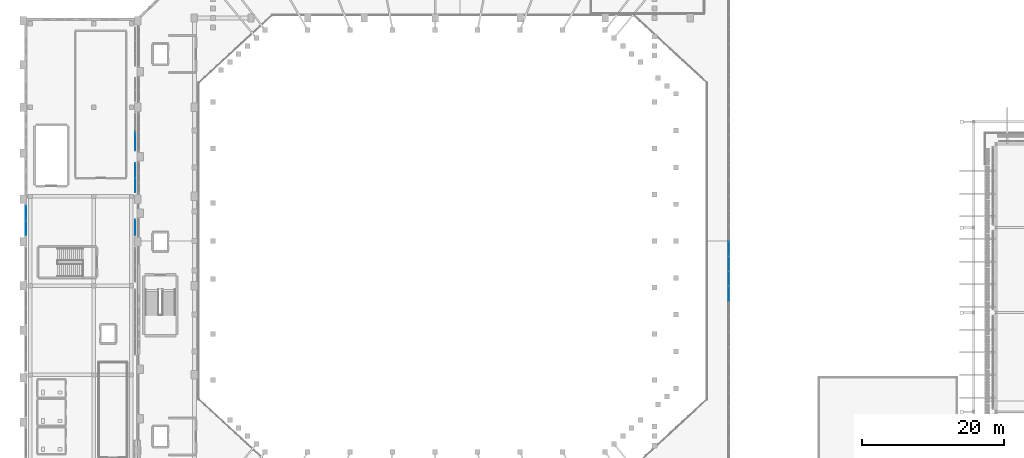
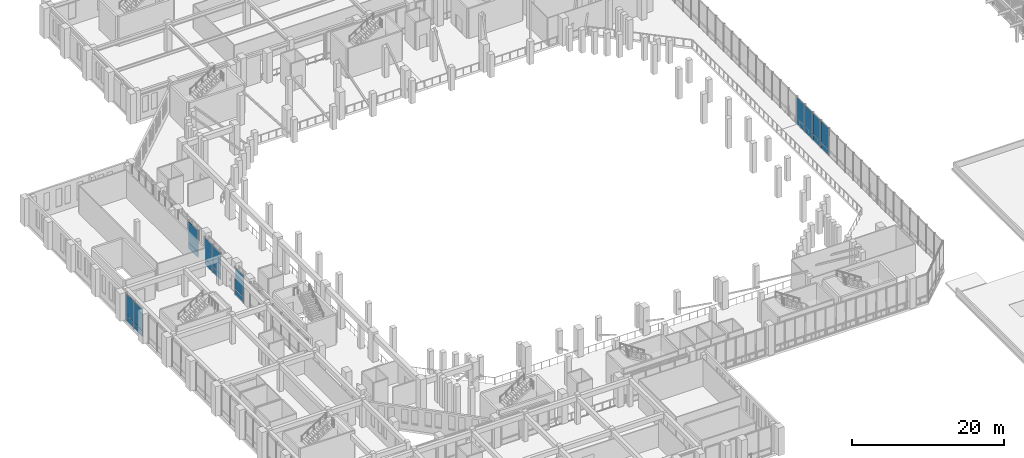
# One storey, part 70 of 126: 20 plates, 5 elements without a shape of their own.
"""IFC4 building model written with IfcOpenShell, lengths in metres."""

from ifc_helpers import new_model, si_unit, derived_unit, direction, frame, origin, origin_2d, place, context, subcontext, project, spatial, rectangle, extrude, material, layer, layer_set, type_object, element, aggregate, save


model = new_model("IFC4")

# Units and contexts
model_context = context("Model", 3, precision=1e-05, world=origin(), true_north=direction((0.0, 1.0)))
body_context = subcontext(model_context, "Body", "Model", "MODEL_VIEW")
ifc_project = project(units=[si_unit("LENGTHUNIT", "METRE"), si_unit("AREAUNIT", "SQUARE_METRE"), si_unit("VOLUMEUNIT", "CUBIC_METRE"), si_unit("PLANEANGLEUNIT", "RADIAN"), si_unit("MASSUNIT", "GRAM", prefix="KILO"), derived_unit("THERMALTRANSMITTANCEUNIT", [(si_unit("MASSUNIT", "GRAM", prefix="KILO"), 1), (si_unit("TIMEUNIT", "SECOND"), -3), (si_unit("THERMODYNAMICTEMPERATUREUNIT", "KELVIN"), -1)])], contexts=[model_context])

# Site, building, storey
site_placement = place(None, origin())
site = spatial("IfcSite", under=ifc_project, at=site_placement, CompositionType="ELEMENT")
building_placement = place(site_placement, origin())
building = spatial("IfcBuilding", under=site, at=building_placement, Name="Valcora Ridge Arena", CompositionType="ELEMENT")
storey_placement = place(building_placement, frame((0.0, 0.0, 11.39990234375)))
storey = spatial("IfcBuildingStorey", under=building, at=storey_placement, Name="L02", CompositionType="ELEMENT", Elevation=11.39990234375)

# Curtain wall, plates
ifc_material_1 = material(Name="Anodised dark bronze architectural aluminium 6063-T6", Category="aluminium")
ifc_layer_1 = layer(ifc_material_1, 0.14990234375, Name="Anodised dark bronze architectural aluminium 6063-T6")
ifc_layer_set_1 = layer_set([ifc_layer_1], Name="Anodised dark bronze architectural aluminium 6063-T6")
curtain_wall_type_1 = type_object("IfcCurtainWallType", Name="TY-CURTAINWALL-CW-V4-CLUB-042X44", PredefinedType="NOTDEFINED", material=ifc_layer_set_1)
curtain_wall_1_placement = place(storey_placement, origin())
curtain_wall_1 = element("IfcCurtainWall", 1, at=curtain_wall_1_placement, inside=storey, type_object=curtain_wall_type_1, Name="CW-V4-CLUB-042X44 CW-0266", PredefinedType="NOTDEFINED")
ifc_material_2 = material(Name="Low-iron solar-control double glazing SHGC 0.28", Category="glass")
ifc_layer_2 = layer(ifc_material_2, 0.028076171875, Name="Low-iron solar-control double glazing SHGC 0.28")
ifc_layer_set_2 = layer_set([ifc_layer_2], Name="Low-iron solar-control double glazing SHGC 0.28")
plate_type_1 = type_object("IfcPlateType", Name="TY-PLT-CWP-2035X0875", PredefinedType="CURTAIN_PANEL", material=ifc_layer_set_2)
plate_1_placement = place(storey_placement, frame((15.64990234375, 72.007568359375, 0.050048828125), z_axis=(0.0, 0.0, 1.0), x_axis=(0.0, 1.0, 0.0)))
plate_1 = element("IfcPlate", 2, at=plate_1_placement, type_object=plate_type_1, Name="CW-0266/P00-00", PredefinedType="CURTAIN_PANEL", context=body_context, shape_type="SweptSolid", body=[
    extrude(rectangle(XDim=2.034912109375, YDim=0.028076171875, at=origin_2d()), origin(), (0.0, 0.0, 1.0), 0.875),
])
plate_2_placement = place(storey_placement, frame((15.64990234375, 74.092529296875, 0.050048828125), z_axis=(0.0, 0.0, 1.0), x_axis=(0.0, 1.0, 0.0)))
plate_2 = element("IfcPlate", 3, at=plate_2_placement, type_object=plate_type_1, Name="CW-0266/P01-00", PredefinedType="CURTAIN_PANEL", context=body_context, shape_type="SweptSolid", body=[
    extrude(rectangle(XDim=2.034912109375, YDim=0.028076171875, at=origin_2d()), origin(), (0.0, 0.0, 1.0), 0.875),
])
ifc_layer_3 = layer(ifc_material_2, 0.028076171875, Name="Low-iron solar-control double glazing SHGC 0.28")
ifc_layer_set_3 = layer_set([ifc_layer_3], Name="Low-iron solar-control double glazing SHGC 0.28")
plate_type_2 = type_object("IfcPlateType", Name="TY-PLT-CWP-2035X3425", PredefinedType="CURTAIN_PANEL", material=ifc_layer_set_3)
plate_3_placement = place(storey_placement, frame((15.64990234375, 72.007568359375, 0.97509765625), z_axis=(0.0, 0.0, 1.0), x_axis=(0.0, 1.0, 0.0)))
plate_3 = element("IfcPlate", 4, at=plate_3_placement, type_object=plate_type_2, Name="CW-0266/P00-01", PredefinedType="CURTAIN_PANEL", context=body_context, shape_type="SweptSolid", body=[
    extrude(rectangle(XDim=2.034912109375, YDim=0.028076171875, at=origin_2d()), origin(), (0.0, 0.0, 1.0), 3.425048828125),
])
plate_4_placement = place(storey_placement, frame((15.64990234375, 74.092529296875, 0.97509765625), z_axis=(0.0, 0.0, 1.0), x_axis=(0.0, 1.0, 0.0)))
plate_4 = element("IfcPlate", 5, at=plate_4_placement, type_object=plate_type_2, Name="CW-0266/P01-01", PredefinedType="CURTAIN_PANEL", context=body_context, shape_type="SweptSolid", body=[
    extrude(rectangle(XDim=2.034912109375, YDim=0.028076171875, at=origin_2d()), origin(), (0.0, 0.0, 1.0), 3.425048828125),
])
aggregate(curtain_wall_1, [plate_1, plate_3, plate_2, plate_4])

ifc_layer_4 = layer(ifc_material_1, 0.14990234375, Name="Anodised dark bronze architectural aluminium 6063-T6")
ifc_layer_set_4 = layer_set([ifc_layer_4], Name="Anodised dark bronze architectural aluminium 6063-T6")
curtain_wall_type_2 = type_object("IfcCurtainWallType", Name="TY-CURTAINWALL-CW-V4-CLUB-043X44", PredefinedType="NOTDEFINED", material=ifc_layer_set_4)
curtain_wall_2_placement = place(storey_placement, origin())
curtain_wall_2 = element("IfcCurtainWall", 6, at=curtain_wall_2_placement, inside=storey, type_object=curtain_wall_type_2, Name="CW-V4-CLUB-043X44 CW-0262", PredefinedType="NOTDEFINED")
ifc_layer_5 = layer(ifc_material_2, 0.028076171875, Name="Low-iron solar-control double glazing SHGC 0.28")
ifc_layer_set_5 = layer_set([ifc_layer_5], Name="Low-iron solar-control double glazing SHGC 0.28")
plate_type_3 = type_object("IfcPlateType", Name="TY-PLT-CWP-2085X0875", PredefinedType="CURTAIN_PANEL", material=ifc_layer_set_5)
plate_5_placement = place(storey_placement, frame((0.219970703125, 65.9326171875, 0.050048828125), z_axis=(0.0, 0.0, 1.0), x_axis=(0.0, 1.0, 0.0)))
plate_5 = element("IfcPlate", 7, at=plate_5_placement, type_object=plate_type_3, Name="CW-0262/P00-00", PredefinedType="CURTAIN_PANEL", context=body_context, shape_type="SweptSolid", body=[
    extrude(rectangle(XDim=2.0849609375, YDim=0.028076171875, at=origin_2d()), origin(), (0.0, 0.0, 1.0), 0.875),
])
plate_6_placement = place(storey_placement, frame((0.219970703125, 68.0673828125, 0.050048828125), z_axis=(0.0, 0.0, 1.0), x_axis=(0.0, 1.0, 0.0)))
plate_6 = element("IfcPlate", 8, at=plate_6_placement, type_object=plate_type_3, Name="CW-0262/P01-00", PredefinedType="CURTAIN_PANEL", context=body_context, shape_type="SweptSolid", body=[
    extrude(rectangle(XDim=2.0849609375, YDim=0.028076171875, at=origin_2d()), origin(), (0.0, 0.0, 1.0), 0.875),
])
ifc_layer_6 = layer(ifc_material_2, 0.028076171875, Name="Low-iron solar-control double glazing SHGC 0.28")
ifc_layer_set_6 = layer_set([ifc_layer_6], Name="Low-iron solar-control double glazing SHGC 0.28")
plate_type_4 = type_object("IfcPlateType", Name="TY-PLT-CWP-2085X3425", PredefinedType="CURTAIN_PANEL", material=ifc_layer_set_6)
plate_7_placement = place(storey_placement, frame((0.219970703125, 65.9326171875, 0.97509765625), z_axis=(0.0, 0.0, 1.0), x_axis=(0.0, 1.0, 0.0)))
plate_7 = element("IfcPlate", 9, at=plate_7_placement, type_object=plate_type_4, Name="CW-0262/P00-01", PredefinedType="CURTAIN_PANEL", context=body_context, shape_type="SweptSolid", body=[
    extrude(rectangle(XDim=2.0849609375, YDim=0.028076171875, at=origin_2d()), origin(), (0.0, 0.0, 1.0), 3.425048828125),
])
plate_8_placement = place(storey_placement, frame((0.219970703125, 68.0673828125, 0.97509765625), z_axis=(0.0, 0.0, 1.0), x_axis=(0.0, 1.0, 0.0)))
plate_8 = element("IfcPlate", 10, at=plate_8_placement, type_object=plate_type_4, Name="CW-0262/P01-01", PredefinedType="CURTAIN_PANEL", context=body_context, shape_type="SweptSolid", body=[
    extrude(rectangle(XDim=2.0849609375, YDim=0.028076171875, at=origin_2d()), origin(), (0.0, 0.0, 1.0), 3.425048828125),
])
aggregate(curtain_wall_2, [plate_5, plate_7, plate_6, plate_8])

ifc_layer_7 = layer(ifc_material_1, 0.14990234375, Name="Anodised dark bronze architectural aluminium 6063-T6")
ifc_layer_set_7 = layer_set([ifc_layer_7], Name="Anodised dark bronze architectural aluminium 6063-T6")
curtain_wall_type_3 = type_object("IfcCurtainWallType", Name="TY-CURTAINWALL-CW-V1-EAST-769X44", PredefinedType="NOTDEFINED", material=ifc_layer_set_7)
curtain_wall_3_placement = place(storey_placement, origin())
curtain_wall_3 = element("IfcCurtainWall", 11, at=curtain_wall_3_placement, inside=storey, type_object=curtain_wall_type_3, Name="CW-V1-EAST-769X44 CW-0129", PredefinedType="NOTDEFINED")
ifc_layer_8 = layer(ifc_material_2, 0.028076171875, Name="Low-iron solar-control double glazing SHGC 0.28")
ifc_layer_set_8 = layer_set([ifc_layer_8], Name="Low-iron solar-control double glazing SHGC 0.28")
plate_type_5 = type_object("IfcPlateType", Name="TY-PLT-CWP-2087X0875", PredefinedType="CURTAIN_PANEL", material=ifc_layer_set_8)
plate_9_placement = place(storey_placement, frame((99.449951171875, 56.619140625, 0.050048828125), z_axis=(0.0, 0.0, 1.0), x_axis=(0.0, 1.0, 0.0)))
plate_9 = element("IfcPlate", 12, at=plate_9_placement, type_object=plate_type_5, Name="CW-0129/P14-00", PredefinedType="CURTAIN_PANEL", context=body_context, shape_type="SweptSolid", body=[
    extrude(rectangle(XDim=2.0869140625, YDim=0.028076171875, at=origin_2d()), origin(), (0.0, 0.0, 1.0), 0.875),
])
plate_10_placement = place(storey_placement, frame((99.449951171875, 60.894287109375, 0.050048828125), z_axis=(0.0, 0.0, 1.0), x_axis=(0.0, 1.0, 0.0)))
plate_10 = element("IfcPlate", 13, at=plate_10_placement, type_object=plate_type_5, Name="CW-0129/P16-00", PredefinedType="CURTAIN_PANEL", context=body_context, shape_type="SweptSolid", body=[
    extrude(rectangle(XDim=2.0869140625, YDim=0.028076171875, at=origin_2d()), origin(), (0.0, 0.0, 1.0), 0.875),
])
plate_11_placement = place(storey_placement, frame((99.449951171875, 63.03125, 0.050048828125), z_axis=(0.0, 0.0, 1.0), x_axis=(0.0, 1.0, 0.0)))
plate_11 = element("IfcPlate", 14, at=plate_11_placement, type_object=plate_type_5, Name="CW-0129/P17-00", PredefinedType="CURTAIN_PANEL", context=body_context, shape_type="SweptSolid", body=[
    extrude(rectangle(XDim=2.0869140625, YDim=0.028076171875, at=origin_2d()), origin(), (0.0, 0.0, 1.0), 0.875),
])
ifc_layer_9 = layer(ifc_material_2, 0.028076171875, Name="Low-iron solar-control double glazing SHGC 0.28")
ifc_layer_set_9 = layer_set([ifc_layer_9], Name="Low-iron solar-control double glazing SHGC 0.28")
plate_type_6 = type_object("IfcPlateType", Name="TY-PLT-CWP-2087X3425", PredefinedType="CURTAIN_PANEL", material=ifc_layer_set_9)
plate_12_placement = place(storey_placement, frame((99.449951171875, 56.619140625, 0.97509765625), z_axis=(0.0, 0.0, 1.0), x_axis=(0.0, 1.0, 0.0)))
plate_12 = element("IfcPlate", 15, at=plate_12_placement, type_object=plate_type_6, Name="CW-0129/P14-01", PredefinedType="CURTAIN_PANEL", context=body_context, shape_type="SweptSolid", body=[
    extrude(rectangle(XDim=2.0869140625, YDim=0.028076171875, at=origin_2d()), origin(), (0.0, 0.0, 1.0), 3.425048828125),
])
plate_13_placement = place(storey_placement, frame((99.449951171875, 60.894287109375, 0.97509765625), z_axis=(0.0, 0.0, 1.0), x_axis=(0.0, 1.0, 0.0)))
plate_13 = element("IfcPlate", 16, at=plate_13_placement, type_object=plate_type_6, Name="CW-0129/P16-01", PredefinedType="CURTAIN_PANEL", context=body_context, shape_type="SweptSolid", body=[
    extrude(rectangle(XDim=2.0869140625, YDim=0.028076171875, at=origin_2d()), origin(), (0.0, 0.0, 1.0), 3.425048828125),
])
plate_14_placement = place(storey_placement, frame((99.449951171875, 63.03125, 0.97509765625), z_axis=(0.0, 0.0, 1.0), x_axis=(0.0, 1.0, 0.0)))
plate_14 = element("IfcPlate", 17, at=plate_14_placement, type_object=plate_type_6, Name="CW-0129/P17-01", PredefinedType="CURTAIN_PANEL", context=body_context, shape_type="SweptSolid", body=[
    extrude(rectangle(XDim=2.0869140625, YDim=0.028076171875, at=origin_2d()), origin(), (0.0, 0.0, 1.0), 3.425048828125),
])
ifc_layer_10 = layer(ifc_material_2, 0.028076171875, Name="Low-iron solar-control double glazing SHGC 0.28")
ifc_layer_set_10 = layer_set([ifc_layer_10], Name="Low-iron solar-control double glazing SHGC 0.28")
plate_type_7 = type_object("IfcPlateType", Name="TY-PLT-CWP-2088X0875", PredefinedType="CURTAIN_PANEL", material=ifc_layer_set_10)
plate_15_placement = place(storey_placement, frame((99.449951171875, 58.756591796875, 0.050048828125), z_axis=(0.0, 0.0, 1.0), x_axis=(0.0, 1.0, 0.0)))
plate_15 = element("IfcPlate", 18, at=plate_15_placement, type_object=plate_type_7, Name="CW-0129/P15-00", PredefinedType="CURTAIN_PANEL", context=body_context, shape_type="SweptSolid", body=[
    extrude(rectangle(XDim=2.087890625, YDim=0.028076171875, at=origin_2d()), origin(), (0.0, 0.0, 1.0), 0.875),
])
ifc_layer_11 = layer(ifc_material_2, 0.028076171875, Name="Low-iron solar-control double glazing SHGC 0.28")
ifc_layer_set_11 = layer_set([ifc_layer_11], Name="Low-iron solar-control double glazing SHGC 0.28")
plate_type_8 = type_object("IfcPlateType", Name="TY-PLT-CWP-2088X3425", PredefinedType="CURTAIN_PANEL", material=ifc_layer_set_11)
plate_16_placement = place(storey_placement, frame((99.449951171875, 58.756591796875, 0.97509765625), z_axis=(0.0, 0.0, 1.0), x_axis=(0.0, 1.0, 0.0)))
plate_16 = element("IfcPlate", 19, at=plate_16_placement, type_object=plate_type_8, Name="CW-0129/P15-01", PredefinedType="CURTAIN_PANEL", context=body_context, shape_type="SweptSolid", body=[
    extrude(rectangle(XDim=2.087890625, YDim=0.028076171875, at=origin_2d()), origin(), (0.0, 0.0, 1.0), 3.425048828125),
])
aggregate(curtain_wall_3, [plate_9, plate_12, plate_15, plate_16, plate_10, plate_13, plate_11, plate_14])

ifc_layer_12 = layer(ifc_material_1, 0.14990234375, Name="Anodised dark bronze architectural aluminium 6063-T6")
ifc_layer_set_12 = layer_set([ifc_layer_12], Name="Anodised dark bronze architectural aluminium 6063-T6")
curtain_wall_type_4 = type_object("IfcCurtainWallType", Name="TY-CURTAINWALL-CW-V4-CLUB-023X44", PredefinedType="NOTDEFINED", material=ifc_layer_set_12)
curtain_wall_4_placement = place(storey_placement, origin())
curtain_wall_4 = element("IfcCurtainWall", 20, at=curtain_wall_4_placement, inside=storey, type_object=curtain_wall_type_4, Name="CW-V4-CLUB-023X44 CW-0265", PredefinedType="NOTDEFINED")
ifc_layer_13 = layer(ifc_material_2, 0.028076171875, Name="Low-iron solar-control double glazing SHGC 0.28")
ifc_layer_set_13 = layer_set([ifc_layer_13], Name="Low-iron solar-control double glazing SHGC 0.28")
plate_type_9 = type_object("IfcPlateType", Name="TY-PLT-CWP-2220X0875", PredefinedType="CURTAIN_PANEL", material=ifc_layer_set_13)
plate_17_placement = place(storey_placement, frame((15.64990234375, 66.0, 0.050048828125), z_axis=(0.0, 0.0, 1.0), x_axis=(0.0, 1.0, 0.0)))
plate_17 = element("IfcPlate", 21, at=plate_17_placement, type_object=plate_type_9, Name="CW-0265/P00-00", PredefinedType="CURTAIN_PANEL", context=body_context, shape_type="SweptSolid", body=[
    extrude(rectangle(XDim=2.219970703125, YDim=0.028076171875, at=origin_2d()), origin(), (0.0, 0.0, 1.0), 0.875),
])
ifc_layer_14 = layer(ifc_material_2, 0.028076171875, Name="Low-iron solar-control double glazing SHGC 0.28")
ifc_layer_set_14 = layer_set([ifc_layer_14], Name="Low-iron solar-control double glazing SHGC 0.28")
plate_type_10 = type_object("IfcPlateType", Name="TY-PLT-CWP-2220X3425", PredefinedType="CURTAIN_PANEL", material=ifc_layer_set_14)
plate_18_placement = place(storey_placement, frame((15.64990234375, 66.0, 0.97509765625), z_axis=(0.0, 0.0, 1.0), x_axis=(0.0, 1.0, 0.0)))
plate_18 = element("IfcPlate", 22, at=plate_18_placement, type_object=plate_type_10, Name="CW-0265/P00-01", PredefinedType="CURTAIN_PANEL", context=body_context, shape_type="SweptSolid", body=[
    extrude(rectangle(XDim=2.219970703125, YDim=0.028076171875, at=origin_2d()), origin(), (0.0, 0.0, 1.0), 3.425048828125),
])
aggregate(curtain_wall_4, [plate_17, plate_18])

ifc_layer_15 = layer(ifc_material_1, 0.14990234375, Name="Anodised dark bronze architectural aluminium 6063-T6")
ifc_layer_set_15 = layer_set([ifc_layer_15], Name="Anodised dark bronze architectural aluminium 6063-T6")
curtain_wall_type_5 = type_object("IfcCurtainWallType", Name="TY-CURTAINWALL-CW-V4-CLUB-053X44", PredefinedType="NOTDEFINED", material=ifc_layer_set_15)
curtain_wall_5_placement = place(storey_placement, origin())
curtain_wall_5 = element("IfcCurtainWall", 23, at=curtain_wall_5_placement, inside=storey, type_object=curtain_wall_type_5, Name="CW-V4-CLUB-053X44 CW-0267", PredefinedType="NOTDEFINED")
ifc_layer_16 = layer(ifc_material_2, 0.028076171875, Name="Low-iron solar-control double glazing SHGC 0.28")
ifc_layer_set_16 = layer_set([ifc_layer_16], Name="Low-iron solar-control double glazing SHGC 0.28")
plate_type_11 = type_object("IfcPlateType", Name="TY-PLT-CWP-2585X0875", PredefinedType="CURTAIN_PANEL", material=ifc_layer_set_16)
plate_19_placement = place(storey_placement, frame((15.64990234375, 78.1826171875, 0.050048828125), z_axis=(0.0, 0.0, 1.0), x_axis=(0.0, 1.0, 0.0)))
plate_19 = element("IfcPlate", 24, at=plate_19_placement, type_object=plate_type_11, Name="CW-0267/P00-00", PredefinedType="CURTAIN_PANEL", context=body_context, shape_type="SweptSolid", body=[
    extrude(rectangle(XDim=2.5849609375, YDim=0.028076171875, at=origin_2d()), origin(), (0.0, 0.0, 1.0), 0.875),
])
ifc_layer_17 = layer(ifc_material_2, 0.028076171875, Name="Low-iron solar-control double glazing SHGC 0.28")
ifc_layer_set_17 = layer_set([ifc_layer_17], Name="Low-iron solar-control double glazing SHGC 0.28")
plate_type_12 = type_object("IfcPlateType", Name="TY-PLT-CWP-2585X3425", PredefinedType="CURTAIN_PANEL", material=ifc_layer_set_17)
plate_20_placement = place(storey_placement, frame((15.64990234375, 78.1826171875, 0.97509765625), z_axis=(0.0, 0.0, 1.0), x_axis=(0.0, 1.0, 0.0)))
plate_20 = element("IfcPlate", 25, at=plate_20_placement, type_object=plate_type_12, Name="CW-0267/P00-01", PredefinedType="CURTAIN_PANEL", context=body_context, shape_type="SweptSolid", body=[
    extrude(rectangle(XDim=2.5849609375, YDim=0.028076171875, at=origin_2d()), origin(), (0.0, 0.0, 1.0), 3.425048828125),
])
aggregate(curtain_wall_5, [plate_19, plate_20])

save(model, "model.ifc")
